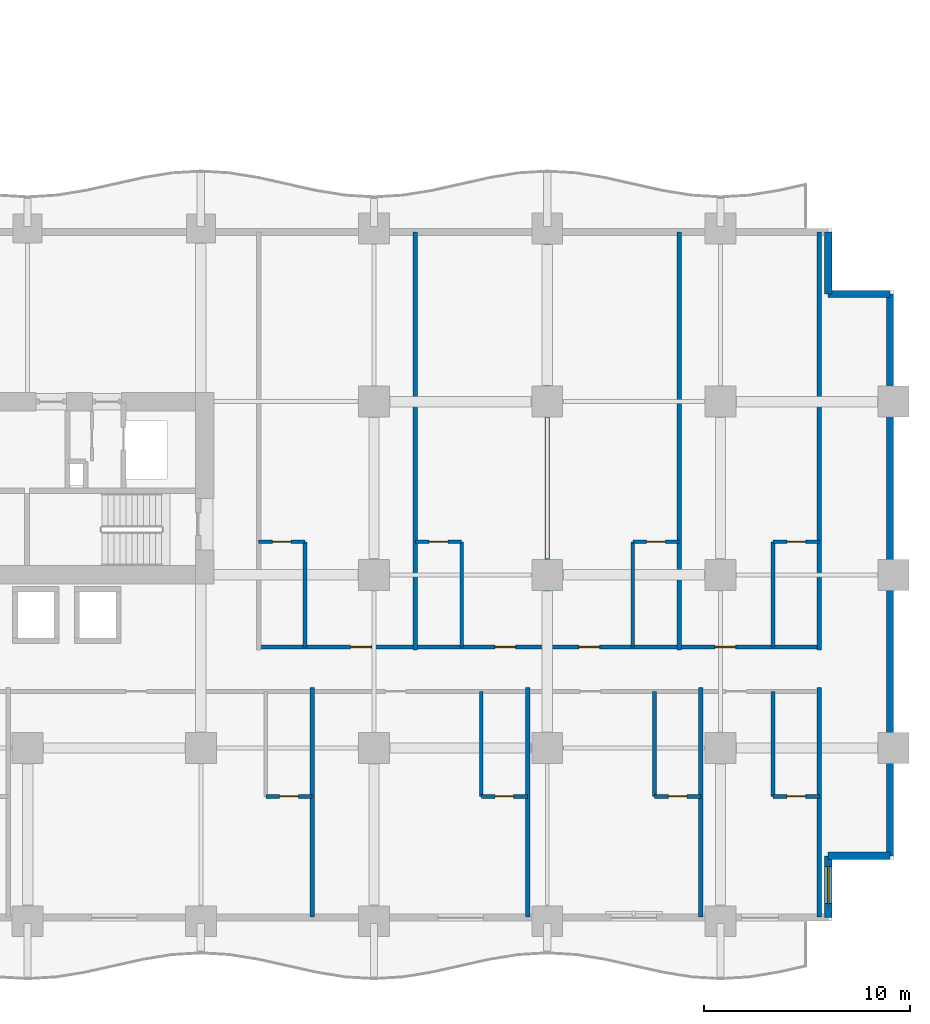
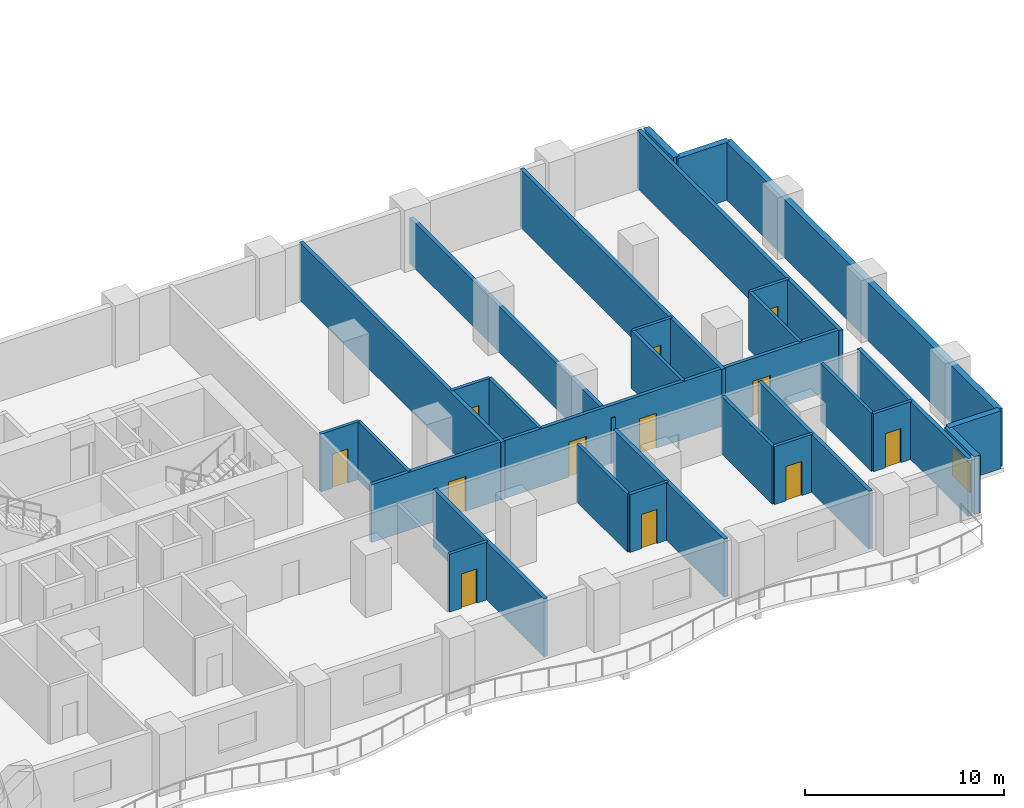
# One storey, part 16 of 23: 29 walls, 12 doors, 1 window, 13 openings.
"""IFC4 building model written with IfcOpenShell, lengths in metres."""

from ifc_helpers import new_model, si_unit, direction, frame, frame_2d, origin, place, context, subcontext, project, spatial, rectangle, extrude, material, layer, layer_set, type_object, element, fill, save


model = new_model("IFC4")

# Units and contexts
model_context = context("Model", 3, precision=1e-05, world=origin(), true_north=direction((0.0, 1.0)))
body_context = subcontext(model_context, "Body", "Model", "MODEL_VIEW")
ifc_project = project(units=[si_unit("LENGTHUNIT", "METRE"), si_unit("AREAUNIT", "SQUARE_METRE"), si_unit("VOLUMEUNIT", "CUBIC_METRE"), si_unit("PLANEANGLEUNIT", "RADIAN"), si_unit("MASSUNIT", "GRAM", prefix="KILO")], contexts=[model_context])

# Site, building, storey
site_placement = place(None, origin())
site = spatial("IfcSite", under=ifc_project, at=site_placement, CompositionType="ELEMENT")
building_placement = place(site_placement, origin())
building = spatial("IfcBuilding", under=site, at=building_placement, Name="Koriwani Terraces Tower", CompositionType="ELEMENT")
storey_placement = place(building_placement, frame((0.0, 0.0, 32.0)))
storey = spatial("IfcBuildingStorey", under=building, at=storey_placement, Name="L06", CompositionType="ELEMENT", Elevation=32.0)

# Wall, openings, doors
ifc_material_1 = material(Name="Autoclaved Cellular Concrete Blockwork", Category="masonry")
ifc_layer_1 = layer(ifc_material_1, 0.199951171875, Name="Autoclaved Cellular Concrete Blockwork")
ifc_layer_set_1 = layer_set([ifc_layer_1], Name="Autoclaved Cellular Concrete Blockwork")
wall_type_1 = type_object("IfcWallType", Name="WALL_CORRIDOR_200", PredefinedType="PARTITIONING", material=ifc_layer_set_1)
wall_1_placement = place(storey_placement, frame((61.60009765625, 13.300048828125, 0.0), z_axis=(0.0, 0.0, 1.0), x_axis=(1.0, 0.0, 0.0)))
wall_1 = element("IfcWall", 1, at=wall_1_placement, inside=storey, type_object=wall_type_1, Name="L06 Interior Wall WCOR-L06-SE-0", PredefinedType="PARTITIONING", context=body_context, shape_type="SweptSolid", body=[
    extrude(rectangle(XDim=27.199951171875, YDim=0.199951171875, at=frame_2d((13.60009765625, 0.0))), origin(), (0.0, 0.0, 1.0), 3.550048828125),
])
opening_1_placement = place(wall_1_placement, frame((4.465087890625, 0.0, 0.0)))
opening_1 = element("IfcOpeningElement", 2, at=opening_1_placement, cuts=wall_1, Name="Opening D-05", PredefinedType="OPENING", context=body_context, shape_type="SweptSolid", body=[
    extrude(rectangle(XDim=1.0, YDim=2.14990234375, at=frame_2d((0.5, 1.074951171875))), frame((0.0, 0.10986328125, 0.0), z_axis=(0.0, -1.0, 0.0), x_axis=(1.0, 0.0, 0.0)), (0.0, 0.0, 1.0), 0.219970703125),
])
opening_2_placement = place(wall_1_placement, frame((11.465087890625, 0.0, 0.0)))
opening_2 = element("IfcOpeningElement", 3, at=opening_2_placement, cuts=wall_1, Name="Opening D-05", PredefinedType="OPENING", context=body_context, shape_type="SweptSolid", body=[
    extrude(rectangle(XDim=1.0, YDim=2.14990234375, at=frame_2d((0.5, 1.074951171875))), frame((0.0, 0.10986328125, 0.0), z_axis=(0.0, -1.0, 0.0), x_axis=(1.0, 0.0, 0.0)), (0.0, 0.0, 1.0), 0.219970703125),
])
opening_3_placement = place(wall_1_placement, frame((15.534912109375, 0.0, 0.0)))
opening_3 = element("IfcOpeningElement", 4, at=opening_3_placement, cuts=wall_1, Name="Opening D-05", PredefinedType="OPENING", context=body_context, shape_type="SweptSolid", body=[
    extrude(rectangle(XDim=1.0, YDim=2.14990234375, at=frame_2d((0.5, 1.074951171875))), frame((0.0, 0.10986328125, 0.0), z_axis=(0.0, -1.0, 0.0), x_axis=(1.0, 0.0, 0.0)), (0.0, 0.0, 1.0), 0.219970703125),
])
opening_4_placement = place(wall_1_placement, frame((22.135009765625, 0.0, 0.0)))
opening_4 = element("IfcOpeningElement", 5, at=opening_4_placement, cuts=wall_1, Name="Opening D-05", PredefinedType="OPENING", context=body_context, shape_type="SweptSolid", body=[
    extrude(rectangle(XDim=1.0, YDim=2.14990234375, at=frame_2d((0.5, 1.074951171875))), frame((0.0, 0.10986328125, 0.0), z_axis=(0.0, -1.0, 0.0), x_axis=(1.0, 0.0, 0.0)), (0.0, 0.0, 1.0), 0.219970703125),
])
ifc_material_2 = material(Name="Architectural Oak Fire Door", Category="wood")
door_type_1 = type_object("IfcDoorType", Name="DOOR_SUITE_ENTRY_1000X2150", OperationType="NOTDEFINED", PredefinedType="DOOR", material=ifc_material_2)
door_1_placement = place(opening_1_placement, origin())
door_1 = element("IfcDoor", 6, at=door_1_placement, inside=storey, type_object=door_type_1, Name="Luxury Hotel Suite 06SE1 Entrance Door", OperationType="SINGLE_SWING_RIGHT", OverallHeight=2.14990234375, OverallWidth=1.0, PredefinedType="DOOR", context=body_context, shape_type="SweptSolid", body=[
    extrude(rectangle(XDim=1.0, YDim=2.14990234375, at=frame_2d((0.5, 1.074951171875))), frame((0.0, 0.02490234375, 0.0), z_axis=(0.0, -1.0, 0.0), x_axis=(1.0, 0.0, 0.0)), (0.0, 0.0, 1.0), 0.050048828125),
])
fill(opening_1, door_1)
door_2_placement = place(opening_2_placement, origin())
door_2 = element("IfcDoor", 7, at=door_2_placement, inside=storey, type_object=door_type_1, Name="Luxury Hotel Suite 06SE2 Entrance Door", OperationType="SINGLE_SWING_RIGHT", OverallHeight=2.14990234375, OverallWidth=1.0, PredefinedType="DOOR", context=body_context, shape_type="SweptSolid", body=[
    extrude(rectangle(XDim=1.0, YDim=2.14990234375, at=frame_2d((0.5, 1.074951171875))), frame((0.0, 0.02490234375, 0.0), z_axis=(0.0, -1.0, 0.0), x_axis=(1.0, 0.0, 0.0)), (0.0, 0.0, 1.0), 0.050048828125),
])
fill(opening_2, door_2)
door_3_placement = place(opening_3_placement, origin())
door_3 = element("IfcDoor", 8, at=door_3_placement, inside=storey, type_object=door_type_1, Name="Luxury Hotel Suite 06SE3 Entrance Door", OperationType="SINGLE_SWING_RIGHT", OverallHeight=2.14990234375, OverallWidth=1.0, PredefinedType="DOOR", context=body_context, shape_type="SweptSolid", body=[
    extrude(rectangle(XDim=1.0, YDim=2.14990234375, at=frame_2d((0.5, 1.074951171875))), frame((0.0, 0.02490234375, 0.0), z_axis=(0.0, -1.0, 0.0), x_axis=(1.0, 0.0, 0.0)), (0.0, 0.0, 1.0), 0.050048828125),
])
fill(opening_3, door_3)
door_4_placement = place(opening_4_placement, origin())
door_4 = element("IfcDoor", 9, at=door_4_placement, inside=storey, type_object=door_type_1, Name="Luxury Hotel Suite 06SE4 Entrance Door", OperationType="SINGLE_SWING_RIGHT", OverallHeight=2.14990234375, OverallWidth=1.0, PredefinedType="DOOR", context=body_context, shape_type="SweptSolid", body=[
    extrude(rectangle(XDim=1.0, YDim=2.14990234375, at=frame_2d((0.5, 1.074951171875))), frame((0.0, 0.02490234375, 0.0), z_axis=(0.0, -1.0, 0.0), x_axis=(1.0, 0.0, 0.0)), (0.0, 0.0, 1.0), 0.050048828125),
])
fill(opening_4, door_4)

# Walls
ifc_layer_2 = layer(ifc_material_1, 0.219970703125, Name="Autoclaved Cellular Concrete Blockwork")
ifc_layer_set_2 = layer_set([ifc_layer_2], Name="Autoclaved Cellular Concrete Blockwork")
wall_type_2 = type_object("IfcWallType", Name="WALL_DEMISING_220", PredefinedType="PARTITIONING", material=ifc_layer_set_2)
for number, where, z_axis, x_axis, name in (
    (10, (64.199951171875, 0.199951171875, 0.0), (0.0, 0.0, 1.0), (0.0, 1.0, 0.0), "L06 Interior Wall WDEM-L06-SW-5"),
    (11, (74.64990234375, 0.199951171875, 0.0), (0.0, 0.0, 1.0), (0.0, 1.0, 0.0), "L06 Interior Wall WDEM-L06-SW-6"),
    (12, (83.050048828125, 0.199951171875, 0.0), (0.0, 0.0, 1.0), (0.0, 1.0, 0.0), "L06 Interior Wall WDEM-L06-SW-7"),
    (13, (88.800048828125, 0.199951171875, 0.0), (0.0, 0.0, 1.0), (0.0, 1.0, 0.0), "L06 Interior Wall WDEME-L06-SW"),
):
    element("IfcWall", number, at=place(storey_placement, frame(where, z_axis=z_axis, x_axis=x_axis)), inside=storey, type_object=wall_type_2, Name=name, PredefinedType="PARTITIONING", context=body_context, shape_type="SweptSolid", body=[
        extrude(rectangle(XDim=11.130126953125, YDim=0.219970703125, at=frame_2d((5.56494140625, 0.0))), origin(), (0.0, 0.0, 1.0), 3.550048828125),
    ])
wall_2_placement = place(storey_placement, frame((69.199951171875, 13.14990234375, 0.0), z_axis=(0.0, 0.0, 1.0), x_axis=(0.0, 1.0, 0.0)))
element("IfcWall", 14, at=wall_2_placement, inside=storey, type_object=wall_type_2, Name="L06 Interior Wall WDEM-L06-SE-1", PredefinedType="PARTITIONING", context=body_context, shape_type="SweptSolid", body=[
    extrude(rectangle(XDim=20.280029296875, YDim=0.219970703125, at=frame_2d((10.14013671875, 0.0))), origin(), (0.0, 0.0, 1.0), 3.550048828125),
])
wall_3_placement = place(storey_placement, frame((75.60009765625, 13.14990234375, 0.0), z_axis=(0.0, 0.0, 1.0), x_axis=(0.0, 1.0, 0.0)))
element("IfcWall", 15, at=wall_3_placement, inside=storey, type_object=wall_type_2, Name="L06 Interior Wall WDEM-L06-SE-2", PredefinedType="PARTITIONING", context=body_context, shape_type="SweptSolid", body=[
    extrude(rectangle(XDim=20.280029296875, YDim=0.219970703125, at=frame_2d((10.14013671875, 0.0))), origin(), (0.0, 0.0, 1.0), 2.800048828125),
])
for number, where, z_axis, x_axis, name in (
    (16, (82.0, 13.14990234375, 0.0), (0.0, 0.0, 1.0), (0.0, 1.0, 0.0), "L06 Interior Wall WDEM-L06-SE-3"),
    (17, (88.800048828125, 13.14990234375, 0.0), (0.0, 0.0, 1.0), (0.0, 1.0, 0.0), "L06 Interior Wall WDEME-L06-SE"),
):
    element("IfcWall", number, at=place(storey_placement, frame(where, z_axis=z_axis, x_axis=x_axis)), inside=storey, type_object=wall_type_2, Name=name, PredefinedType="PARTITIONING", context=body_context, shape_type="SweptSolid", body=[
        extrude(rectangle(XDim=20.280029296875, YDim=0.219970703125, at=frame_2d((10.14013671875, 0.0))), origin(), (0.0, 0.0, 1.0), 3.550048828125),
    ])
ifc_material_3 = material(Name="Concrete C50/60", Category="concrete")
ifc_layer_3 = layer(ifc_material_3, 0.35009765625, Name="Concrete C50/60")
ifc_layer_set_3 = layer_set([ifc_layer_3], Name="Concrete C50/60")
wall_type_3 = type_object("IfcWallType", Name="WALL_EXT_BRUTALIST_350", PredefinedType="STANDARD", material=ifc_layer_set_3)
for number, where, z_axis, x_axis, name in (
    (18, (89.22509765625, 33.425048828125, 0.0), (0.0, 0.0, 1.0), (0.0, -1.0, 0.0), "L06 Fair-Faced Brutalist Exterior Wall (N10)"),
    (19, (89.22509765625, 30.425048828125, 0.0), (0.0, 0.0, 1.0), (1.0, 0.0, 0.0), "L06 Fair-Faced Brutalist Exterior Wall (N11)"),
):
    element("IfcWall", number, at=place(storey_placement, frame(where, z_axis=z_axis, x_axis=x_axis)), inside=storey, type_object=wall_type_3, Name=name, PredefinedType="STANDARD", context=body_context, shape_type="SweptSolid", body=[
        extrude(rectangle(XDim=3.0, YDim=0.35009765625, at=frame_2d((1.5, 0.0))), origin(), (0.0, 0.0, 1.0), 3.550048828125),
    ])
wall_4_placement = place(storey_placement, frame((92.22509765625, 30.425048828125, 0.0), z_axis=(0.0, 0.0, 1.0), x_axis=(0.0, -1.0, 0.0)))
element("IfcWall", 20, at=wall_4_placement, inside=storey, type_object=wall_type_3, Name="L06 Fair-Faced Brutalist Exterior Wall (E_TIP)", PredefinedType="STANDARD", context=body_context, shape_type="SweptSolid", body=[
    extrude(rectangle(XDim=27.25, YDim=0.35009765625, at=frame_2d((13.625, 0.0))), origin(), (0.0, 0.0, 1.0), 3.550048828125),
])
wall_5_placement = place(storey_placement, frame((92.22509765625, 3.175048828125, 0.0), z_axis=(0.0, 0.0, 1.0), x_axis=(-1.0, 0.0, 0.0)))
element("IfcWall", 21, at=wall_5_placement, inside=storey, type_object=wall_type_3, Name="L06 Fair-Faced Brutalist Exterior Wall (N13)", PredefinedType="STANDARD", context=body_context, shape_type="SweptSolid", body=[
    extrude(rectangle(XDim=3.0, YDim=0.35009765625, at=frame_2d((1.5, 0.0))), origin(), (0.0, 0.0, 1.0), 3.550048828125),
])

# Wall, opening, window
wall_6_placement = place(storey_placement, frame((89.22509765625, 3.175048828125, 0.0), z_axis=(0.0, 0.0, 1.0), x_axis=(0.0, -1.0, 0.0)))
wall_6 = element("IfcWall", 22, at=wall_6_placement, inside=storey, type_object=wall_type_3, Name="L06 Fair-Faced Brutalist Exterior Wall (N14)", PredefinedType="STANDARD", context=body_context, shape_type="SweptSolid", body=[
    extrude(rectangle(XDim=3.0, YDim=0.35009765625, at=frame_2d((1.5, 0.0))), origin(), (0.0, 0.0, 1.0), 3.550048828125),
])
opening_5_placement = place(wall_6_placement, frame((0.5224609375, 0.0, 0.85009765625)))
opening_5 = element("IfcOpeningElement", 23, at=opening_5_placement, cuts=wall_6, Name="Opening W-04", PredefinedType="OPENING", context=body_context, shape_type="SweptSolid", body=[
    extrude(rectangle(XDim=1.800048828125, YDim=1.800048828125, at=frame_2d((0.89990234375, 0.89990234375))), frame((0.0, 0.18505859375, 0.0), z_axis=(0.0, -1.0, 0.0), x_axis=(1.0, 0.0, 0.0)), (0.0, 0.0, 1.0), 0.3701171875),
])
ifc_material_4 = material(Name="Tempered Laminated Low-E Glass", Category="glass")
window_type = type_object("IfcWindowType", Name="WIN_RES_BED_1800X1800", PartitioningType="DOUBLE_PANEL_VERTICAL", PredefinedType="WINDOW", material=ifc_material_4)
window_placement = place(opening_5_placement, origin())
window = element("IfcWindow", 24, at=window_placement, inside=storey, type_object=window_type, Name="L06 Exterior Window (N14-R69)", OverallHeight=1.800048828125, OverallWidth=1.800048828125, PartitioningType="SINGLE_PANEL", PredefinedType="WINDOW", context=body_context, shape_type="SweptSolid", body=[
    extrude(rectangle(XDim=1.800048828125, YDim=1.800048828125, at=frame_2d((0.89990234375, 0.89990234375))), frame((0.0, 0.030029296875, 0.0), z_axis=(0.0, -1.0, 0.0), x_axis=(1.0, 0.0, 0.0)), (0.0, 0.0, 1.0), 0.06005859375),
])
fill(opening_5, window)

# Wall, opening, door
ifc_material_5 = material(Name="Fire-Rated Acoustic Gypsum Partition", Category="masonry")
ifc_layer_4 = layer(ifc_material_5, 0.179931640625, Name="Fire-Rated Acoustic Gypsum Partition")
ifc_layer_set_4 = layer_set([ifc_layer_4], Name="Fire-Rated Acoustic Gypsum Partition")
wall_type_4 = type_object("IfcWallType", Name="WALL_PLUMBING_180", PredefinedType="PLUMBINGWALL", material=ifc_layer_set_4)
wall_7_placement = place(storey_placement, frame((61.949951171875, 6.050048828125, 0.0), z_axis=(0.0, 0.0, 1.0), x_axis=(1.0, 0.0, 0.0)))
wall_7 = element("IfcWall", 25, at=wall_7_placement, inside=storey, type_object=wall_type_4, Name="L06 Interior Wall WBTH1-L06-SW-4", PredefinedType="PLUMBINGWALL", context=body_context, shape_type="SweptSolid", body=[
    extrude(rectangle(XDim=2.25, YDim=0.179931640625, at=frame_2d((1.125, 0.0))), origin(), (0.0, 0.0, 1.0), 3.550048828125),
])
opening_6_placement = place(wall_7_placement, frame((0.675048828125, 0.0, 0.0)))
opening_6 = element("IfcOpeningElement", 26, at=opening_6_placement, cuts=wall_7, Name="Opening D-07", PredefinedType="OPENING", context=body_context, shape_type="SweptSolid", body=[
    extrude(rectangle(XDim=0.89990234375, YDim=2.10009765625, at=frame_2d((0.449951171875, 1.050048828125))), frame((0.0, 0.10009765625, 0.0), z_axis=(0.0, -1.0, 0.0), x_axis=(1.0, 0.0, 0.0)), (0.0, 0.0, 1.0), 0.199951171875),
])
door_type_2 = type_object("IfcDoorType", Name="DOOR_BATH_INT_900X2100", OperationType="NOTDEFINED", PredefinedType="DOOR", material=ifc_material_2)
door_5_placement = place(opening_6_placement, origin())
door_5 = element("IfcDoor", 27, at=door_5_placement, inside=storey, type_object=door_type_2, Name="En-Suite Bathroom 06SW5 Door", OperationType="SINGLE_SWING_LEFT", OverallHeight=2.10009765625, OverallWidth=0.89990234375, PredefinedType="DOOR", context=body_context, shape_type="SweptSolid", body=[
    extrude(rectangle(XDim=0.89990234375, YDim=2.10009765625, at=frame_2d((0.449951171875, 1.050048828125))), frame((0.0, 0.02490234375, 0.0), z_axis=(0.0, -1.0, 0.0), x_axis=(1.0, 0.0, 0.0)), (0.0, 0.0, 1.0), 0.050048828125),
])
fill(opening_6, door_5)

wall_8_placement = place(storey_placement, frame((72.39990234375, 6.050048828125, 0.0), z_axis=(0.0, 0.0, 1.0), x_axis=(1.0, 0.0, 0.0)))
wall_8 = element("IfcWall", 28, at=wall_8_placement, inside=storey, type_object=wall_type_4, Name="L06 Interior Wall WBTH1-L06-SW-5", PredefinedType="PLUMBINGWALL", context=body_context, shape_type="SweptSolid", body=[
    extrude(rectangle(XDim=2.25, YDim=0.179931640625, at=frame_2d((1.125, 0.0))), origin(), (0.0, 0.0, 1.0), 3.550048828125),
])
opening_7_placement = place(wall_8_placement, frame((0.675048828125, 0.0, 0.0)))
opening_7 = element("IfcOpeningElement", 29, at=opening_7_placement, cuts=wall_8, Name="Opening D-07", PredefinedType="OPENING", context=body_context, shape_type="SweptSolid", body=[
    extrude(rectangle(XDim=0.89990234375, YDim=2.10009765625, at=frame_2d((0.449951171875, 1.050048828125))), frame((0.0, 0.10009765625, 0.0), z_axis=(0.0, -1.0, 0.0), x_axis=(1.0, 0.0, 0.0)), (0.0, 0.0, 1.0), 0.199951171875),
])
door_6_placement = place(opening_7_placement, origin())
door_6 = element("IfcDoor", 30, at=door_6_placement, inside=storey, type_object=door_type_2, Name="En-Suite Bathroom 06SW6 Door", OperationType="SINGLE_SWING_LEFT", OverallHeight=2.10009765625, OverallWidth=0.89990234375, PredefinedType="DOOR", context=body_context, shape_type="SweptSolid", body=[
    extrude(rectangle(XDim=0.89990234375, YDim=2.10009765625, at=frame_2d((0.449951171875, 1.050048828125))), frame((0.0, 0.02490234375, 0.0), z_axis=(0.0, -1.0, 0.0), x_axis=(1.0, 0.0, 0.0)), (0.0, 0.0, 1.0), 0.050048828125),
])
fill(opening_7, door_6)

# Wall
wall_9_placement = place(storey_placement, frame((72.39990234375, 6.050048828125, 0.0), z_axis=(0.0, 0.0, 1.0), x_axis=(0.0, 1.0, 0.0)))
element("IfcWall", 31, at=wall_9_placement, inside=storey, type_object=wall_type_4, Name="L06 Interior Wall WBTH2-L06-SW-5", PredefinedType="PLUMBINGWALL", context=body_context, shape_type="SweptSolid", body=[
    extrude(rectangle(XDim=5.099853515625, YDim=0.179931640625, at=frame_2d((2.5498046875, 0.0))), origin(), (0.0, 0.0, 1.0), 3.550048828125),
])

# Wall, opening, door
wall_10_placement = place(storey_placement, frame((80.800048828125, 6.050048828125, 0.0), z_axis=(0.0, 0.0, 1.0), x_axis=(1.0, 0.0, 0.0)))
wall_10 = element("IfcWall", 32, at=wall_10_placement, inside=storey, type_object=wall_type_4, Name="L06 Interior Wall WBTH1-L06-SW-6", PredefinedType="PLUMBINGWALL", context=body_context, shape_type="SweptSolid", body=[
    extrude(rectangle(XDim=2.25, YDim=0.179931640625, at=frame_2d((1.125, 0.0))), origin(), (0.0, 0.0, 1.0), 3.550048828125),
])
opening_8_placement = place(wall_10_placement, frame((0.675048828125, 0.0, 0.0)))
opening_8 = element("IfcOpeningElement", 33, at=opening_8_placement, cuts=wall_10, Name="Opening D-07", PredefinedType="OPENING", context=body_context, shape_type="SweptSolid", body=[
    extrude(rectangle(XDim=0.89990234375, YDim=2.10009765625, at=frame_2d((0.449951171875, 1.050048828125))), frame((0.0, 0.10009765625, 0.0), z_axis=(0.0, -1.0, 0.0), x_axis=(1.0, 0.0, 0.0)), (0.0, 0.0, 1.0), 0.199951171875),
])
door_7_placement = place(opening_8_placement, origin())
door_7 = element("IfcDoor", 34, at=door_7_placement, inside=storey, type_object=door_type_2, Name="En-Suite Bathroom 06SW7 Door", OperationType="SINGLE_SWING_LEFT", OverallHeight=2.10009765625, OverallWidth=0.89990234375, PredefinedType="DOOR", context=body_context, shape_type="SweptSolid", body=[
    extrude(rectangle(XDim=0.89990234375, YDim=2.10009765625, at=frame_2d((0.449951171875, 1.050048828125))), frame((0.0, 0.02490234375, 0.0), z_axis=(0.0, -1.0, 0.0), x_axis=(1.0, 0.0, 0.0)), (0.0, 0.0, 1.0), 0.050048828125),
])
fill(opening_8, door_7)

# Wall
wall_11_placement = place(storey_placement, frame((80.800048828125, 6.050048828125, 0.0), z_axis=(0.0, 0.0, 1.0), x_axis=(0.0, 1.0, 0.0)))
element("IfcWall", 35, at=wall_11_placement, inside=storey, type_object=wall_type_4, Name="L06 Interior Wall WBTH2-L06-SW-6", PredefinedType="PLUMBINGWALL", context=body_context, shape_type="SweptSolid", body=[
    extrude(rectangle(XDim=5.099853515625, YDim=0.179931640625, at=frame_2d((2.5498046875, 0.0))), origin(), (0.0, 0.0, 1.0), 3.550048828125),
])

# Wall, opening, door
wall_12_placement = place(storey_placement, frame((86.550048828125, 6.050048828125, 0.0), z_axis=(0.0, 0.0, 1.0), x_axis=(1.0, 0.0, 0.0)))
wall_12 = element("IfcWall", 36, at=wall_12_placement, inside=storey, type_object=wall_type_4, Name="L06 Interior Wall WBTH1-L06-SW-7", PredefinedType="PLUMBINGWALL", context=body_context, shape_type="SweptSolid", body=[
    extrude(rectangle(XDim=2.25, YDim=0.179931640625, at=frame_2d((1.125, 0.0))), origin(), (0.0, 0.0, 1.0), 3.550048828125),
])
opening_9_placement = place(wall_12_placement, frame((0.675048828125, 0.0, 0.0)))
opening_9 = element("IfcOpeningElement", 37, at=opening_9_placement, cuts=wall_12, Name="Opening D-07", PredefinedType="OPENING", context=body_context, shape_type="SweptSolid", body=[
    extrude(rectangle(XDim=0.89990234375, YDim=2.10009765625, at=frame_2d((0.449951171875, 1.050048828125))), frame((0.0, 0.10009765625, 0.0), z_axis=(0.0, -1.0, 0.0), x_axis=(1.0, 0.0, 0.0)), (0.0, 0.0, 1.0), 0.199951171875),
])
door_8_placement = place(opening_9_placement, origin())
door_8 = element("IfcDoor", 38, at=door_8_placement, inside=storey, type_object=door_type_2, Name="En-Suite Bathroom 06SW8 Door", OperationType="SINGLE_SWING_LEFT", OverallHeight=2.10009765625, OverallWidth=0.89990234375, PredefinedType="DOOR", context=body_context, shape_type="SweptSolid", body=[
    extrude(rectangle(XDim=0.89990234375, YDim=2.10009765625, at=frame_2d((0.449951171875, 1.050048828125))), frame((0.0, 0.02490234375, 0.0), z_axis=(0.0, -1.0, 0.0), x_axis=(1.0, 0.0, 0.0)), (0.0, 0.0, 1.0), 0.050048828125),
])
fill(opening_9, door_8)

# Wall
wall_13_placement = place(storey_placement, frame((86.550048828125, 6.050048828125, 0.0), z_axis=(0.0, 0.0, 1.0), x_axis=(0.0, 1.0, 0.0)))
element("IfcWall", 39, at=wall_13_placement, inside=storey, type_object=wall_type_4, Name="L06 Interior Wall WBTH2-L06-SW-7", PredefinedType="PLUMBINGWALL", context=body_context, shape_type="SweptSolid", body=[
    extrude(rectangle(XDim=5.099853515625, YDim=0.179931640625, at=frame_2d((2.5498046875, 0.0))), origin(), (0.0, 0.0, 1.0), 3.550048828125),
])

# Wall, opening, door
wall_14_placement = place(storey_placement, frame((61.60009765625, 18.39990234375, 0.0), z_axis=(0.0, 0.0, 1.0), x_axis=(1.0, 0.0, 0.0)))
wall_14 = element("IfcWall", 40, at=wall_14_placement, inside=storey, type_object=wall_type_4, Name="L06 Interior Wall WBTH1-L06-SE-0", PredefinedType="PLUMBINGWALL", context=body_context, shape_type="SweptSolid", body=[
    extrude(rectangle(XDim=2.25, YDim=0.179931640625, at=frame_2d((1.125, 0.0))), origin(), (0.0, 0.0, 1.0), 3.550048828125),
])
opening_10_placement = place(wall_14_placement, frame((0.675048828125, 0.0, 0.0)))
opening_10 = element("IfcOpeningElement", 41, at=opening_10_placement, cuts=wall_14, Name="Opening D-07", PredefinedType="OPENING", context=body_context, shape_type="SweptSolid", body=[
    extrude(rectangle(XDim=0.89990234375, YDim=2.10009765625, at=frame_2d((0.449951171875, 1.050048828125))), frame((0.0, 0.10009765625, 0.0), z_axis=(0.0, -1.0, 0.0), x_axis=(1.0, 0.0, 0.0)), (0.0, 0.0, 1.0), 0.199951171875),
])
door_9_placement = place(opening_10_placement, origin())
door_9 = element("IfcDoor", 42, at=door_9_placement, inside=storey, type_object=door_type_2, Name="En-Suite Bathroom 06SE1 Door", OperationType="SINGLE_SWING_LEFT", OverallHeight=2.10009765625, OverallWidth=0.89990234375, PredefinedType="DOOR", context=body_context, shape_type="SweptSolid", body=[
    extrude(rectangle(XDim=0.89990234375, YDim=2.10009765625, at=frame_2d((0.449951171875, 1.050048828125))), frame((0.0, 0.02490234375, 0.0), z_axis=(0.0, -1.0, 0.0), x_axis=(1.0, 0.0, 0.0)), (0.0, 0.0, 1.0), 0.050048828125),
])
fill(opening_10, door_9)

# Wall
wall_15_placement = place(storey_placement, frame((63.85009765625, 13.300048828125, 0.0), z_axis=(0.0, 0.0, 1.0), x_axis=(0.0, 1.0, 0.0)))
element("IfcWall", 43, at=wall_15_placement, inside=storey, type_object=wall_type_4, Name="L06 Interior Wall WBTH2-L06-SE-0", PredefinedType="PLUMBINGWALL", context=body_context, shape_type="SweptSolid", body=[
    extrude(rectangle(XDim=5.099853515625, YDim=0.179931640625, at=frame_2d((2.5498046875, 0.0))), origin(), (0.0, 0.0, 1.0), 3.550048828125),
])

# Wall, opening, door
wall_16_placement = place(storey_placement, frame((69.199951171875, 18.39990234375, 0.0), z_axis=(0.0, 0.0, 1.0), x_axis=(1.0, 0.0, 0.0)))
wall_16 = element("IfcWall", 44, at=wall_16_placement, inside=storey, type_object=wall_type_4, Name="L06 Interior Wall WBTH1-L06-SE-1", PredefinedType="PLUMBINGWALL", context=body_context, shape_type="SweptSolid", body=[
    extrude(rectangle(XDim=2.25, YDim=0.179931640625, at=frame_2d((1.125, 0.0))), origin(), (0.0, 0.0, 1.0), 3.550048828125),
])
opening_11_placement = place(wall_16_placement, frame((0.675048828125, 0.0, 0.0)))
opening_11 = element("IfcOpeningElement", 45, at=opening_11_placement, cuts=wall_16, Name="Opening D-07", PredefinedType="OPENING", context=body_context, shape_type="SweptSolid", body=[
    extrude(rectangle(XDim=0.89990234375, YDim=2.10009765625, at=frame_2d((0.449951171875, 1.050048828125))), frame((0.0, 0.10009765625, 0.0), z_axis=(0.0, -1.0, 0.0), x_axis=(1.0, 0.0, 0.0)), (0.0, 0.0, 1.0), 0.199951171875),
])
door_10_placement = place(opening_11_placement, origin())
door_10 = element("IfcDoor", 46, at=door_10_placement, inside=storey, type_object=door_type_2, Name="En-Suite Bathroom 06SE2 Door", OperationType="SINGLE_SWING_LEFT", OverallHeight=2.10009765625, OverallWidth=0.89990234375, PredefinedType="DOOR", context=body_context, shape_type="SweptSolid", body=[
    extrude(rectangle(XDim=0.89990234375, YDim=2.10009765625, at=frame_2d((0.449951171875, 1.050048828125))), frame((0.0, 0.02490234375, 0.0), z_axis=(0.0, -1.0, 0.0), x_axis=(1.0, 0.0, 0.0)), (0.0, 0.0, 1.0), 0.050048828125),
])
fill(opening_11, door_10)

# Wall
wall_17_placement = place(storey_placement, frame((71.449951171875, 13.300048828125, 0.0), z_axis=(0.0, 0.0, 1.0), x_axis=(0.0, 1.0, 0.0)))
element("IfcWall", 47, at=wall_17_placement, inside=storey, type_object=wall_type_4, Name="L06 Interior Wall WBTH2-L06-SE-1", PredefinedType="PLUMBINGWALL", context=body_context, shape_type="SweptSolid", body=[
    extrude(rectangle(XDim=5.099853515625, YDim=0.179931640625, at=frame_2d((2.5498046875, 0.0))), origin(), (0.0, 0.0, 1.0), 3.550048828125),
])

# Wall, opening, door
wall_18_placement = place(storey_placement, frame((79.75, 18.39990234375, 0.0), z_axis=(0.0, 0.0, 1.0), x_axis=(1.0, 0.0, 0.0)))
wall_18 = element("IfcWall", 48, at=wall_18_placement, inside=storey, type_object=wall_type_4, Name="L06 Interior Wall WBTH1-L06-SE-2", PredefinedType="PLUMBINGWALL", context=body_context, shape_type="SweptSolid", body=[
    extrude(rectangle(XDim=2.25, YDim=0.179931640625, at=frame_2d((1.125, 0.0))), origin(), (0.0, 0.0, 1.0), 3.550048828125),
])
opening_12_placement = place(wall_18_placement, frame((0.675048828125, 0.0, 0.0)))
opening_12 = element("IfcOpeningElement", 49, at=opening_12_placement, cuts=wall_18, Name="Opening D-07", PredefinedType="OPENING", context=body_context, shape_type="SweptSolid", body=[
    extrude(rectangle(XDim=0.89990234375, YDim=2.10009765625, at=frame_2d((0.449951171875, 1.050048828125))), frame((0.0, 0.10009765625, 0.0), z_axis=(0.0, -1.0, 0.0), x_axis=(1.0, 0.0, 0.0)), (0.0, 0.0, 1.0), 0.199951171875),
])
door_11_placement = place(opening_12_placement, origin())
door_11 = element("IfcDoor", 50, at=door_11_placement, inside=storey, type_object=door_type_2, Name="En-Suite Bathroom 06SE3 Door", OperationType="SINGLE_SWING_LEFT", OverallHeight=2.10009765625, OverallWidth=0.89990234375, PredefinedType="DOOR", context=body_context, shape_type="SweptSolid", body=[
    extrude(rectangle(XDim=0.89990234375, YDim=2.10009765625, at=frame_2d((0.449951171875, 1.050048828125))), frame((0.0, 0.02490234375, 0.0), z_axis=(0.0, -1.0, 0.0), x_axis=(1.0, 0.0, 0.0)), (0.0, 0.0, 1.0), 0.050048828125),
])
fill(opening_12, door_11)

# Wall
wall_19_placement = place(storey_placement, frame((79.75, 13.300048828125, 0.0), z_axis=(0.0, 0.0, 1.0), x_axis=(0.0, 1.0, 0.0)))
element("IfcWall", 51, at=wall_19_placement, inside=storey, type_object=wall_type_4, Name="L06 Interior Wall WBTH2-L06-SE-2", PredefinedType="PLUMBINGWALL", context=body_context, shape_type="SweptSolid", body=[
    extrude(rectangle(XDim=5.099853515625, YDim=0.179931640625, at=frame_2d((2.5498046875, 0.0))), origin(), (0.0, 0.0, 1.0), 3.550048828125),
])

# Wall, opening, door
wall_20_placement = place(storey_placement, frame((86.550048828125, 18.39990234375, 0.0), z_axis=(0.0, 0.0, 1.0), x_axis=(1.0, 0.0, 0.0)))
wall_20 = element("IfcWall", 52, at=wall_20_placement, inside=storey, type_object=wall_type_4, Name="L06 Interior Wall WBTH1-L06-SE-3", PredefinedType="PLUMBINGWALL", context=body_context, shape_type="SweptSolid", body=[
    extrude(rectangle(XDim=2.25, YDim=0.179931640625, at=frame_2d((1.125, 0.0))), origin(), (0.0, 0.0, 1.0), 3.550048828125),
])
opening_13_placement = place(wall_20_placement, frame((0.675048828125, 0.0, 0.0)))
opening_13 = element("IfcOpeningElement", 53, at=opening_13_placement, cuts=wall_20, Name="Opening D-07", PredefinedType="OPENING", context=body_context, shape_type="SweptSolid", body=[
    extrude(rectangle(XDim=0.89990234375, YDim=2.10009765625, at=frame_2d((0.449951171875, 1.050048828125))), frame((0.0, 0.10009765625, 0.0), z_axis=(0.0, -1.0, 0.0), x_axis=(1.0, 0.0, 0.0)), (0.0, 0.0, 1.0), 0.199951171875),
])
door_12_placement = place(opening_13_placement, origin())
door_12 = element("IfcDoor", 54, at=door_12_placement, inside=storey, type_object=door_type_2, Name="En-Suite Bathroom 06SE4 Door", OperationType="SINGLE_SWING_LEFT", OverallHeight=2.10009765625, OverallWidth=0.89990234375, PredefinedType="DOOR", context=body_context, shape_type="SweptSolid", body=[
    extrude(rectangle(XDim=0.89990234375, YDim=2.10009765625, at=frame_2d((0.449951171875, 1.050048828125))), frame((0.0, 0.02490234375, 0.0), z_axis=(0.0, -1.0, 0.0), x_axis=(1.0, 0.0, 0.0)), (0.0, 0.0, 1.0), 0.050048828125),
])
fill(opening_13, door_12)

# Wall
wall_21_placement = place(storey_placement, frame((86.550048828125, 13.300048828125, 0.0), z_axis=(0.0, 0.0, 1.0), x_axis=(0.0, 1.0, 0.0)))
element("IfcWall", 55, at=wall_21_placement, inside=storey, type_object=wall_type_4, Name="L06 Interior Wall WBTH2-L06-SE-3", PredefinedType="PLUMBINGWALL", context=body_context, shape_type="SweptSolid", body=[
    extrude(rectangle(XDim=5.099853515625, YDim=0.179931640625, at=frame_2d((2.5498046875, 0.0))), origin(), (0.0, 0.0, 1.0), 3.550048828125),
])

save(model, "model.ifc")
